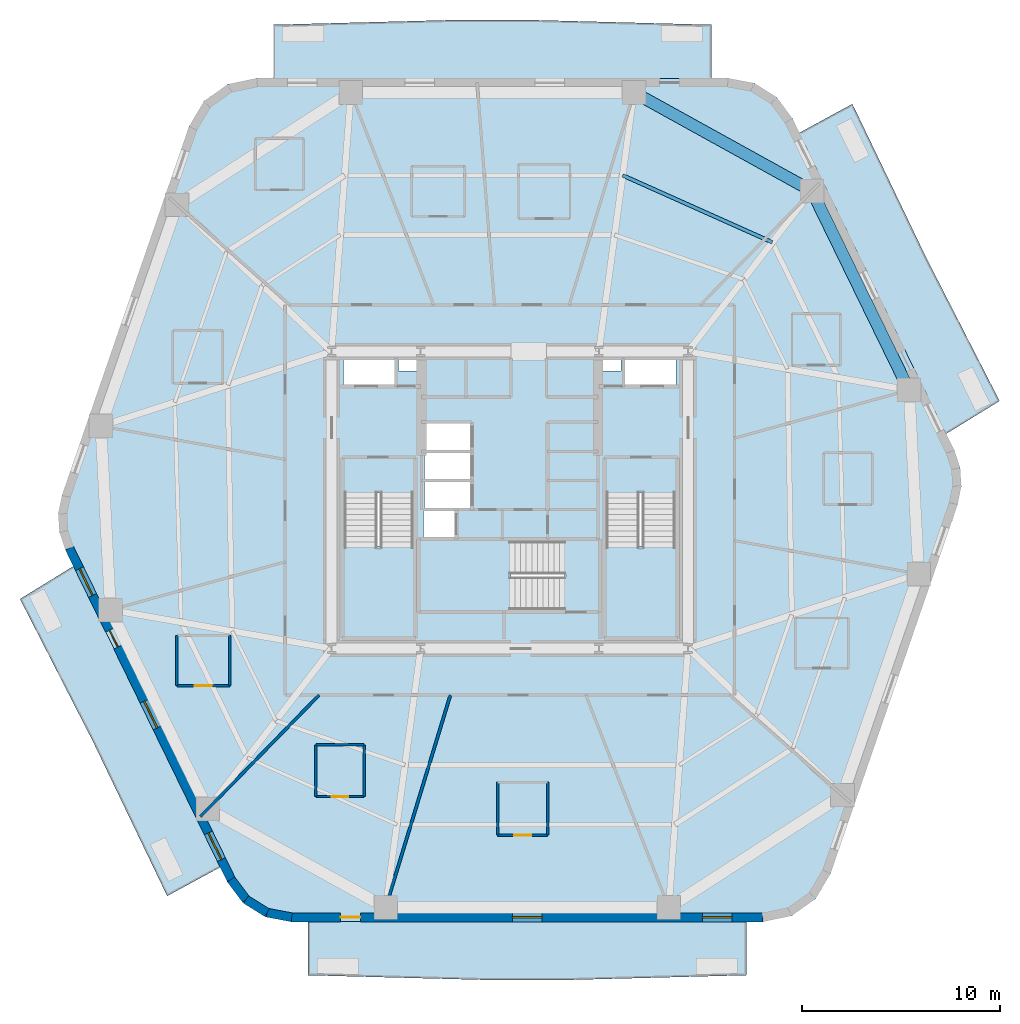
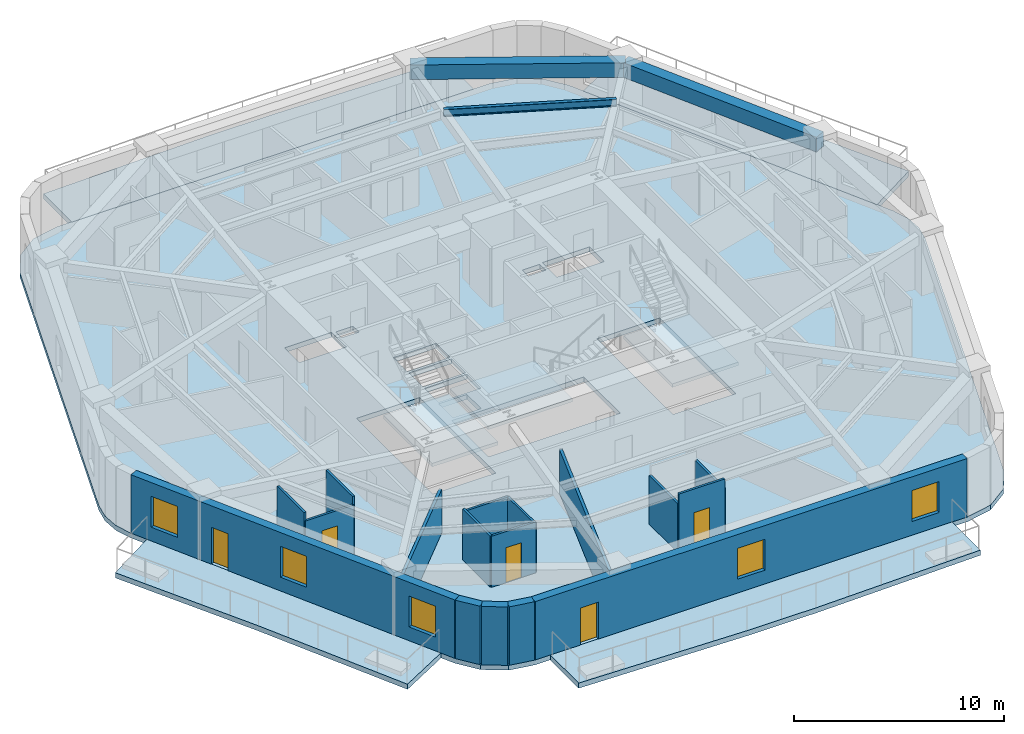
# One storey, part 2 of 9: 17 walls, 8 slabs, 5 doors, 5 windows, 3 beams, 10 openings, 3 elements without a shape of their own.
"""IFC4 building model written with IfcOpenShell, lengths in metres."""

import ifcopenshell
import ifcopenshell.guid

model = None  # the IFC model being written
_history = None  # IfcOwnerHistory: only IFC2X3 demands one
_inside = {}  # id of a spatial element -> (the spatial element, [elements in it])
_under = {}  # id of a project, library or spatial element -> (it, [spatial elements below it])
_declared = {}  # id of a project -> (the project, [libraries it declares])
_typed = {}  # id of a type object -> (the type object, [elements of that type])
_made_of = {}  # id of a material, layer set ... -> (it, [elements and type objects made of it])


def new_model(schema):
    """Start an empty IFC model of exactly this schema.

    Asked for "IFC4X3", IfcOpenShell would pick the latest addendum, in which some entities
    have other attributes; the version numbers below select the first issue.
    IFC2X3 requires an IfcOwnerHistory on every rooted entity: one is made here for all.
    """
    global model, _history
    if schema == "IFC4X3":
        model = ifcopenshell.file(schema_version=(4, 3, 0, 0))
    else:
        model = ifcopenshell.file(schema=schema)
    _inside.clear()
    _under.clear()
    _declared.clear()
    _typed.clear()
    _made_of.clear()
    _history = None
    if model.schema == "IFC2X3":
        org = make("IfcOrganization", Name="unknown")
        user = make(
            "IfcPersonAndOrganization",
            ThePerson=make("IfcPerson", FamilyName="unknown"),
            TheOrganization=org,
        )
        app = make(
            "IfcApplication",
            ApplicationDeveloper=org,
            Version="unknown",
            ApplicationFullName="unknown",
            ApplicationIdentifier="unknown",
        )
        _history = make(
            "IfcOwnerHistory",
            OwningUser=user,
            OwningApplication=app,
            ChangeAction="ADDED",
            CreationDate=0,
        )
    return model


def make(cls, **values):
    """One entity of the class cls with the attributes given. An attribute that is None is left unset."""
    return model.create_entity(
        cls, **{name: value for name, value in values.items() if value is not None}
    )


def rooted(cls, **values):
    """An entity with a GlobalId (a new one), such as an element, a storey or a relation."""
    return make(cls, GlobalId=ifcopenshell.guid.new(), OwnerHistory=_history, **values)


def si_unit(unit_type, name, prefix=None):
    """IfcSIUnit, for example si_unit("LENGTHUNIT", "METRE", prefix="MILLI")."""
    return make("IfcSIUnit", UnitType=unit_type, Prefix=prefix, Name=name)


def assignment(units):
    """IfcUnitAssignment: the units of a project."""
    return None if units is None else make("IfcUnitAssignment", Units=units)


def point(xyz):
    """IfcCartesianPoint."""
    return None if xyz is None else make("IfcCartesianPoint", Coordinates=xyz)


def direction(xyz):
    """IfcDirection."""
    return None if xyz is None else make("IfcDirection", DirectionRatios=xyz)


def frame(location, z_axis=None, x_axis=None):
    """IfcAxis2Placement3D, a coordinate frame: its origin and axes. An axis left out is left unset."""
    return make(
        "IfcAxis2Placement3D",
        Location=point(location),
        Axis=direction(z_axis),
        RefDirection=direction(x_axis),
    )


def frame_2d(location, x_axis=None):
    """IfcAxis2Placement2D, a coordinate frame in the plane: its origin and x axis."""
    return make(
        "IfcAxis2Placement2D", Location=point(location), RefDirection=direction(x_axis)
    )


def origin():
    """The frame at (0, 0, 0) with its axes left unset."""
    return frame((0.0, 0.0, 0.0))


def origin_2d():
    """The frame at (0, 0) in the plane with its x axis left unset."""
    return frame_2d((0.0, 0.0))


def place(relative_to, where):
    """IfcLocalPlacement: puts the frame where relative to a parent placement (None: the world)."""
    return make(
        "IfcLocalPlacement", PlacementRelTo=relative_to, RelativePlacement=where
    )


def context(
    kind, dimensions, precision=None, world=None, true_north=None, identifier=None
):
    """IfcGeometricRepresentationContext, for example the 3D "Model" context."""
    return make(
        "IfcGeometricRepresentationContext",
        ContextIdentifier=identifier,
        ContextType=kind,
        CoordinateSpaceDimension=dimensions,
        Precision=precision,
        WorldCoordinateSystem=world,
        TrueNorth=true_north,
    )


def subcontext(parent, identifier, kind, view, scale=None):
    """IfcGeometricRepresentationSubContext, for example "Body" below "Model"."""
    return make(
        "IfcGeometricRepresentationSubContext",
        ContextIdentifier=identifier,
        ContextType=kind,
        ParentContext=parent,
        TargetScale=scale,
        TargetView=view,
    )


def project(units=None, contexts=None):
    """IfcProject with its units and contexts."""
    return rooted(
        "IfcProject",
        Name="project",
        RepresentationContexts=contexts,
        UnitsInContext=assignment(units),
    )


def spatial(cls, under=None, at=None, **own):
    """A site, building, storey or space (cls), placed at a placement, below another one or the project."""
    s = rooted(cls, ObjectPlacement=at, **own)
    if under is not None:
        _under.setdefault(under.id(), (under, []))[1].append(s)
    return s


def polyline(points):
    """IfcPolyline through the points."""
    return make("IfcPolyline", Points=[point(p) for p in points])


def profile(cls, at=None, kind="AREA", **sizes):
    """A parametric profile (cls). Its sizes go by their IFC names, for example OverallWidth=200.0."""
    return make(cls, ProfileType=kind, Position=at, **sizes)


def rectangle(**sizes):
    """IfcRectangleProfileDef."""
    return profile("IfcRectangleProfileDef", **sizes)


def i_section(**sizes):
    """IfcIShapeProfileDef."""
    return profile("IfcIShapeProfileDef", **sizes)


def outline(outer, holes=None, kind="AREA"):
    """IfcArbitraryClosedProfileDef: a profile drawn as a closed curve; with holes, ...WithVoids."""
    if holes is None:
        return make("IfcArbitraryClosedProfileDef", ProfileType=kind, OuterCurve=outer)
    return make(
        "IfcArbitraryProfileDefWithVoids",
        ProfileType=kind,
        OuterCurve=outer,
        InnerCurves=holes,
    )


def extrude(swept, where, along, depth):
    """IfcExtrudedAreaSolid: the profile swept, set in the frame where, extruded along a direction by depth."""
    return make(
        "IfcExtrudedAreaSolid",
        SweptArea=swept,
        Position=where,
        ExtrudedDirection=direction(along),
        Depth=depth,
    )


def shape(context_of_items, identifier, shape_type, items):
    """IfcShapeRepresentation: the items that make up one representation, for example the "Body"."""
    return make(
        "IfcShapeRepresentation",
        ContextOfItems=context_of_items,
        RepresentationIdentifier=identifier,
        RepresentationType=shape_type,
        Items=items,
    )


def material(Name=None, Category=None):
    """IfcMaterial."""
    return make("IfcMaterial", Name=Name, Category=Category)


def layer(
    of_material, thickness, ventilated=None, Name=None, Category=None, Priority=None
):
    """IfcMaterialLayer: one layer of a wall or slab, of a material (None: an air gap)."""
    return make(
        "IfcMaterialLayer",
        Material=of_material,
        LayerThickness=thickness,
        IsVentilated=ventilated,
        Name=Name,
        Category=Category,
        Priority=Priority,
    )


def layer_set(layers, Name=None):
    """IfcMaterialLayerSet."""
    return make("IfcMaterialLayerSet", MaterialLayers=layers, LayerSetName=Name)


def material_profile(
    of_material, cross_section, Name=None, Category=None, Priority=None
):
    """IfcMaterialProfile: a cross section and its material."""
    return make(
        "IfcMaterialProfile",
        Name=Name,
        Material=of_material,
        Profile=cross_section,
        Priority=Priority,
        Category=Category,
    )


def profile_set(profiles, Name=None, composite=None):
    """IfcMaterialProfileSet."""
    return make(
        "IfcMaterialProfileSet",
        Name=Name,
        MaterialProfiles=profiles,
        CompositeProfile=composite,
    )


def made_of(thing, what):
    """Note that an element or type object is made of a material, layer set ...; save() writes the relation."""
    if what is not None:
        _made_of.setdefault(what.id(), (what, []))[1].append(thing)
    return thing


def type_object(cls, material=None, **own):
    """A type object (cls), such as IfcWallType, which elements share."""
    return made_of(rooted(cls, **own), material)


def element(
    cls,
    number,
    at=None,
    inside=None,
    cuts=None,
    type_object=None,
    material=None,
    context=None,
    identifier="Body",
    shape_type=None,
    held_by="IfcProductDefinitionShape",
    body=None,
    shapes=None,
    **own,
):
    """One element of the class cls, such as IfcWall. Its Tag is "e" and its number.

    at: its placement. inside: the storey or other place that contains it. cuts: it is an
    opening in that element (IfcRelVoidsElement). A single representation is given by context,
    identifier, shape_type and body (its items); several are given by shapes. held_by: the class
    of the entity that holds the representations. save() writes the other relations.
    """
    e = rooted(cls, Tag="e%d" % number, ObjectPlacement=at, **own)
    if body is not None:
        shapes = [shape(context, identifier, shape_type, body)]
    if shapes is not None:
        e.Representation = make(held_by, Representations=shapes)
    if inside is not None:
        _inside.setdefault(inside.id(), (inside, []))[1].append(e)
    if cuts is not None:
        rooted(
            "IfcRelVoidsElement", RelatingBuildingElement=cuts, RelatedOpeningElement=e
        )
    if type_object is not None:
        _typed.setdefault(type_object.id(), (type_object, []))[1].append(e)
    return made_of(e, material)


def fill(opening, filler):
    """IfcRelFillsElement: the door or window that sits in an opening."""
    return rooted(
        "IfcRelFillsElement",
        RelatingOpeningElement=opening,
        RelatedBuildingElement=filler,
    )


def aggregate(whole, parts):
    """IfcRelAggregates: a whole, such as a stair, and the parts it consists of."""
    return rooted("IfcRelAggregates", RelatingObject=whole, RelatedObjects=parts)


def save(model, path):
    """Write the relations noted so far, then the file.

    IfcRelAggregates (storeys below a building ...), IfcRelContainedInSpatialStructure (elements
    in a storey), IfcRelDefinesByType, IfcRelAssociatesMaterial and IfcRelDeclares: one each for
    every whole, place, type object, material and project.
    """
    for whole, parts in _under.values():
        aggregate(whole, parts)
    for where, things in _inside.values():
        rooted(
            "IfcRelContainedInSpatialStructure",
            RelatedElements=things,
            RelatingStructure=where,
        )
    for kind, things in _typed.values():
        rooted("IfcRelDefinesByType", RelatedObjects=things, RelatingType=kind)
    for what, things in _made_of.values():
        rooted("IfcRelAssociatesMaterial", RelatedObjects=things, RelatingMaterial=what)
    for by, libraries in _declared.values():
        rooted("IfcRelDeclares", RelatingContext=by, RelatedDefinitions=libraries)
    model.write(path)


model = new_model("IFC4")

# Units and contexts
model_context = context("Model", 3, precision=1e-05, world=origin(), true_north=direction((0.0, 1.0)))
body_context = subcontext(model_context, "Body", "Model", "MODEL_VIEW")
ifc_project = project(units=[si_unit("LENGTHUNIT", "METRE"), si_unit("AREAUNIT", "SQUARE_METRE"), si_unit("VOLUMEUNIT", "CUBIC_METRE"), si_unit("PLANEANGLEUNIT", "RADIAN"), si_unit("MASSUNIT", "GRAM", prefix="KILO")], contexts=[model_context])

# Site, building, storey
site_placement = place(None, origin())
site = spatial("IfcSite", under=ifc_project, at=site_placement, CompositionType="ELEMENT")
building_placement = place(site_placement, origin())
building = spatial("IfcBuilding", under=site, at=building_placement, Name="Kilnhurst Terrace Hotel", CompositionType="ELEMENT")
storey_placement = place(building_placement, frame((0.0, 0.0, 128.39990234375)))
storey = spatial("IfcBuildingStorey", under=building, at=storey_placement, Name="L31", CompositionType="ELEMENT", Elevation=128.39990234375)

# Beams
ifc_material_1 = material(Name="Concrete C50/60", Category="concrete")
ifc_material_profile_1 = material_profile(ifc_material_1, rectangle(XDim=0.60009765625, YDim=0.85009765625, at=origin_2d()), Name="RC600X850")
ifc_profile_set_1 = profile_set([ifc_material_profile_1], Name="Concrete C50/60")
beam_type_1 = type_object("IfcBeamType", Name="BM-SPN-600X850", PredefinedType="SPANDREL", material=ifc_profile_set_1)
beam_1_placement = place(storey_placement, frame((20.1640625, 5.549072265625, 2.97509765625), z_axis=(-0.438406012271, 0.89877704043, 0.0), x_axis=(-0.89877704043, -0.438406012271, 0.0)))
element("IfcBeam", 1, at=beam_1_placement, inside=storey, type_object=beam_type_1, Name="L31 Perimeter Spandrel Beam 5", PredefinedType="SPANDREL", context=body_context, shape_type="SweptSolid", body=[
    extrude(rectangle(XDim=0.60009765625, YDim=0.85009765625, at=origin_2d()), origin(), (0.0, 0.0, 1.0), 11.19287109375),
])
beam_2_placement = place(storey_placement, frame((15.257080078125, 15.60888671875, 2.97509765625), z_axis=(-0.875094010429, 0.483952965598, 0.0), x_axis=(-0.483952965598, -0.875094010429, 0.0)))
element("IfcBeam", 2, at=beam_2_placement, inside=storey, type_object=beam_type_1, Name="L31 Perimeter Spandrel Beam 6", PredefinedType="SPANDREL", context=body_context, shape_type="SweptSolid", body=[
    extrude(rectangle(XDim=0.60009765625, YDim=0.85009765625, at=origin_2d()), origin(), (0.0, 0.0, 1.0), 10.27197265625),
])
ifc_material_2 = material(Name="Steel ASTM A992 Grade 50", Category="steel")
ifc_material_profile_2 = material_profile(ifc_material_2, i_section(OverallWidth=0.180908203125, OverallDepth=0.417236328125, WebThickness=0.010986328125, FlangeThickness=0.018310546875, at=origin_2d()), Name="W16X57")
ifc_profile_set_2 = profile_set([ifc_material_profile_2], Name="Steel ASTM A992 Grade 50")
beam_type_2 = type_object("IfcBeamType", Name="JST-STL-W16X57", PredefinedType="JOIST", material=ifc_profile_set_2)
beam_3_placement = place(storey_placement, frame((13.2548828125, 13.01416015625, 3.191162109375), z_axis=(-0.912760935806, 0.408494154262, 0.0), x_axis=(-0.408494154262, -0.912760935806, 0.0)))
element("IfcBeam", 3, at=beam_3_placement, inside=storey, type_object=beam_type_2, Name="L31 Secondary Floor Steel Joist OUT.6", PredefinedType="JOIST", context=body_context, shape_type="SweptSolid", body=[
    extrude(i_section(OverallWidth=0.180908203125, OverallDepth=0.417236328125, WebThickness=0.010986328125, FlangeThickness=0.018310546875, at=origin_2d()), origin(), (0.0, 0.0, 1.0), 8.274658203125),
])

# Slabs
ifc_layer_1 = layer(ifc_material_1, 0.300048828125, Name="Concrete C50/60")
ifc_layer_set_1 = layer_set([ifc_layer_1], Name="Concrete C50/60")
slab_type_1 = type_object("IfcSlabType", Name="SLB-BAL-300", PredefinedType="FLOOR", material=ifc_layer_set_1)
slab_1_placement = place(storey_placement, frame((0.0, 0.0, -0.2998046875)))
element("IfcSlab", 4, at=slab_1_placement, inside=storey, type_object=slab_type_1, Name="L31 Cantilevered Planted Terrace Slab BAL-L1A", PredefinedType="FLOOR", context=body_context, shape_type="SweptSolid", body=[
    extrude(outline(polyline([(21.044921875, 12.205810546875), (24.734130859375, 5.0), (22.023193359375, 3.333740234375), (14.6083984375, 18.53564453125), (17.301513671875, 20.0), (21.044921875, 12.205810546875)])), origin(), (0.0, 0.0, 1.0), 0.2998046875),
])
slab_2_placement = place(storey_placement, frame((0.0, 0.0, -0.2998046875)))
element("IfcSlab", 5, at=slab_2_placement, inside=storey, type_object=slab_type_1, Name="L31 Cantilevered Planted Terrace Slab BAL-L1B", PredefinedType="FLOOR", context=body_context, shape_type="SweptSolid", body=[
    extrude(outline(polyline([(1.027099609375, 24.239990234375), (10.18310546875, 24.0), (10.18310546875, 21.280029296875), (-11.943603515625, 21.280029296875), (-11.943603515625, 24.0), (-2.787841796875, 24.239990234375), (1.027099609375, 24.239990234375)])), origin(), (0.0, 0.0, 1.0), 0.2998046875),
])
slab_3_placement = place(storey_placement, frame((0.0, 0.0, -0.2998046875)))
element("IfcSlab", 6, at=slab_3_placement, inside=storey, type_object=slab_type_1, Name="L31 Cantilevered Planted Terrace Slab BAL-L2A", PredefinedType="FLOOR", context=body_context, shape_type="SweptSolid", body=[
    extrude(outline(polyline([(-24.734130859375, -5.0), (-22.023193359375, -3.333740234375), (-14.6083984375, -18.53564453125), (-17.301513671875, -20.0), (-21.044921875, -12.205810546875), (-24.734130859375, -5.0)])), origin(), (0.0, 0.0, 1.0), 0.2998046875),
])
slab_4_placement = place(storey_placement, frame((0.0, 0.0, -0.2998046875)))
element("IfcSlab", 7, at=slab_4_placement, inside=storey, type_object=slab_type_1, Name="L31 Cantilevered Planted Terrace Slab BAL-L2B", PredefinedType="FLOOR", context=body_context, shape_type="SweptSolid", body=[
    extrude(outline(polyline([(-1.027099609375, -24.239990234375), (-10.18310546875, -24.0), (-10.18310546875, -21.280029296875), (11.943603515625, -21.280029296875), (11.943603515625, -24.0), (2.787841796875, -24.239990234375), (-1.027099609375, -24.239990234375)])), origin(), (0.0, 0.0, 1.0), 0.2998046875),
])
ifc_layer_2 = layer(ifc_material_1, 0.280029296875, Name="Concrete C50/60")
ifc_layer_set_2 = layer_set([ifc_layer_2], Name="Concrete C50/60")
slab_type_2 = type_object("IfcSlabType", Name="SLB-FLR-280", PredefinedType="FLOOR", material=ifc_layer_set_2)
slab_5_placement = place(storey_placement, frame((0.0, 0.0, -0.27978515625)))
element("IfcSlab", 8, at=slab_5_placement, inside=storey, type_object=slab_type_2, Name="L31 Structural Floor Slab", PredefinedType="FLOOR", context=body_context, shape_type="SweptSolid", body=[
    extrude(outline(polyline([(-14.2685546875, -19.2783203125), (-13.472900390625, -20.34716796875), (-12.342529296875, -21.05322265625), (-11.032958984375, -21.300048828125), (12.793701171875, -21.300048828125), (14.23876953125, -20.997314453125), (15.44091796875, -20.139892578125), (16.197509765625, -18.872314453125), (22.614501953125, -0.238525390625), (22.8017578125, 0.6826171875), (22.744384765625, 1.62060546875), (22.4462890625, 2.51171875), (14.2685546875, 19.2783203125), (13.472900390625, 20.34716796875), (12.342529296875, 21.05322265625), (11.032958984375, 21.300048828125), (-12.793701171875, 21.300048828125), (-14.23876953125, 20.997314453125), (-15.44091796875, 20.139892578125), (-16.197509765625, 18.872314453125), (-22.614501953125, 0.238525390625), (-22.8017578125, -0.6826171875), (-22.744384765625, -1.62060546875), (-22.4462890625, -2.51171875), (-14.2685546875, -19.2783203125)]), holes=[polyline([(-8.35009765625, 0.35498046875), (-4.8798828125, 0.35498046875), (-4.8798828125, -6.89990234375), (-8.35009765625, -6.89990234375), (-8.35009765625, 0.35498046875)]), polyline([(-2.800048828125, -1.89990234375), (-4.35009765625, -1.89990234375), (-4.35009765625, -0.550048828125), (-2.800048828125, -0.550048828125), (-2.800048828125, -1.89990234375)]), polyline([(-1.949951171875, -0.429931640625), (-4.300048828125, -0.429931640625), (-4.300048828125, 0.89990234375), (-1.949951171875, 0.89990234375), (-1.949951171875, -0.429931640625)]), polyline([(-4.300048828125, 1.050048828125), (-4.300048828125, 2.3798828125), (-1.949951171875, 2.3798828125), (-1.949951171875, 1.050048828125), (-4.300048828125, 1.050048828125)]), polyline([(-8.39990234375, 5.75), (-8.39990234375, 7.14990234375), (-5.800048828125, 7.14990234375), (-5.800048828125, 5.75), (-8.39990234375, 5.75)]), polyline([(-4.659912109375, 6.52001953125), (-5.6201171875, 6.52001953125), (-5.6201171875, 7.080078125), (-4.659912109375, 7.080078125), (-4.659912109375, 6.52001953125)]), polyline([(2.7548828125, -5.550048828125), (-4.5, -5.550048828125), (-4.5, -2.080078125), (2.7548828125, -2.080078125), (2.7548828125, -5.550048828125)]), polyline([(8.35009765625, 0.35498046875), (8.35009765625, -6.89990234375), (4.8798828125, -6.89990234375), (4.8798828125, 0.35498046875), (8.35009765625, 0.35498046875)]), polyline([(-1.949951171875, 2.530029296875), (-4.300048828125, 2.530029296875), (-4.300048828125, 3.860107421875), (-1.949951171875, 3.860107421875), (-1.949951171875, 2.530029296875)]), polyline([(5.800048828125, 5.75), (5.800048828125, 7.14990234375), (8.39990234375, 7.14990234375), (8.39990234375, 5.75), (5.800048828125, 5.75)]), polyline([(4.659912109375, 6.52001953125), (4.659912109375, 7.080078125), (5.6201171875, 7.080078125), (5.6201171875, 6.52001953125), (4.659912109375, 6.52001953125)])]), origin(), (0.0, 0.0, 1.0), 0.27978515625),
])

# Stair, slab
stair_type = type_object("IfcStairType", Name="STR-CORE-1660", PredefinedType="HALF_TURN_STAIR", material=ifc_material_1)
stair_1_placement = place(storey_placement, origin())
stair_1 = element("IfcStair", 9, at=stair_1_placement, inside=storey, type_object=stair_type, Name="L31 ST-1", PredefinedType="HALF_TURN_STAIR")
ifc_layer_3 = layer(ifc_material_1, 0.199951171875, Name="Concrete C50/60")
ifc_layer_set_3 = layer_set([ifc_layer_3], Name="Concrete C50/60")
slab_type_3 = type_object("IfcSlabType", Name="SLB-ST-LND-200", PredefinedType="LANDING", material=ifc_layer_set_3)
slab_6_placement = place(storey_placement, frame((0.0, 0.0, 1.650146484375)))
slab_6 = element("IfcSlab", 10, at=slab_6_placement, type_object=slab_type_3, Name="ST-1 landing 1", PredefinedType="LANDING", context=body_context, shape_type="SweptSolid", body=[
    extrude(outline(polyline([(-8.429931640625, -2.330078125), (-4.800048828125, -2.330078125), (-4.800048828125, -6.97998046875), (-8.429931640625, -6.97998046875), (-8.429931640625, -2.330078125)])), origin(), (0.0, 0.0, 1.0), 0.199951171875),
])
aggregate(stair_1, [slab_6])

stair_2_placement = place(storey_placement, origin())
stair_2 = element("IfcStair", 11, at=stair_2_placement, inside=storey, type_object=stair_type, Name="L31 ST-2", PredefinedType="HALF_TURN_STAIR")
slab_7_placement = place(storey_placement, frame((0.0, 0.0, 1.650146484375)))
slab_7 = element("IfcSlab", 12, at=slab_7_placement, type_object=slab_type_3, Name="ST-2 landing 1", PredefinedType="LANDING", context=body_context, shape_type="SweptSolid", body=[
    extrude(outline(polyline([(4.800048828125, -2.330078125), (8.429931640625, -2.330078125), (8.429931640625, -6.97998046875), (4.800048828125, -6.97998046875), (4.800048828125, -2.330078125)])), origin(), (0.0, 0.0, 1.0), 0.199951171875),
])
aggregate(stair_2, [slab_7])

stair_3_placement = place(storey_placement, origin())
stair_3 = element("IfcStair", 13, at=stair_3_placement, inside=storey, type_object=stair_type, Name="L31 ST-3", PredefinedType="HALF_TURN_STAIR")
slab_8_placement = place(storey_placement, frame((0.0, 0.0, 1.650146484375)))
slab_8 = element("IfcSlab", 14, at=slab_8_placement, type_object=slab_type_3, Name="ST-3 landing 1", PredefinedType="LANDING", context=body_context, shape_type="SweptSolid", body=[
    extrude(outline(polyline([(0.070068359375, -2.0), (0.070068359375, -5.6298828125), (-4.580078125, -5.6298828125), (-4.580078125, -2.0), (0.070068359375, -2.0)])), origin(), (0.0, 0.0, 1.0), 0.199951171875),
])
aggregate(stair_3, [slab_8])

# Walls
ifc_material_3 = material(Name="Precast concrete C40/50", Category="concrete")
ifc_layer_4 = layer(ifc_material_3, 0.449951171875, Name="Precast concrete C40/50")
ifc_layer_set_4 = layer_set([ifc_layer_4], Name="Precast concrete C40/50")
wall_type_1 = type_object("IfcWallType", Name="WL-BRK-450", PredefinedType="SOLIDWALL", material=ifc_layer_set_4)
wall_1_placement = place(storey_placement, frame((-14.07568359375, -19.16064453125, 0.0), z_axis=(0.0, 0.0, 1.0), x_axis=(0.597226657159, -0.802072515412, 0.0)))
element("IfcWall", 15, at=wall_1_placement, inside=storey, type_object=wall_type_1, Name="L31 Rounded Corner Brick Wall C1.1", PredefinedType="SOLIDWALL", context=body_context, shape_type="SweptSolid", body=[
    extrude(rectangle(XDim=1.269287109375, YDim=0.449951171875, at=frame_2d((0.634765625, 0.0))), origin(), (0.0, 0.0, 1.0), 3.400146484375),
])
wall_2_placement = place(storey_placement, frame((-13.317626953125, -20.1787109375, 0.0), z_axis=(0.0, 0.0, 1.0), x_axis=(0.848031272749, -0.529946186362, 0.0)))
element("IfcWall", 16, at=wall_2_placement, inside=storey, type_object=wall_type_1, Name="L31 Rounded Corner Brick Wall C1.2", PredefinedType="SOLIDWALL", context=body_context, shape_type="SweptSolid", body=[
    extrude(rectangle(XDim=1.248046875, YDim=0.449951171875, at=frame_2d((0.6240234375, 0.0))), origin(), (0.0, 0.0, 1.0), 3.400146484375),
])
wall_3_placement = place(storey_placement, frame((-12.25927734375, -20.840087890625, 0.0), z_axis=(0.0, 0.0, 1.0), x_axis=(0.982730354425, -0.185043374624, 0.0)))
element("IfcWall", 17, at=wall_3_placement, inside=storey, type_object=wall_type_1, Name="L31 Rounded Corner Brick Wall C1.3", PredefinedType="SOLIDWALL", context=body_context, shape_type="SweptSolid", body=[
    extrude(rectangle(XDim=1.269287109375, YDim=0.449951171875, at=frame_2d((0.634765625, 0.0))), origin(), (0.0, 0.0, 1.0), 3.400146484375),
])

# Wall, openings, door, windows
wall_4_placement = place(storey_placement, frame((-11.011962890625, -21.074951171875, 0.0), z_axis=(0.0, 0.0, 1.0), x_axis=(1.0, 0.0, 0.0)))
wall_4 = element("IfcWall", 18, at=wall_4_placement, inside=storey, type_object=wall_type_1, Name="L31 Exterior Brick Facade Wall F1", PredefinedType="SOLIDWALL", context=body_context, shape_type="SweptSolid", body=[
    extrude(rectangle(XDim=23.782470703125, YDim=0.449951171875, at=frame_2d((11.89111328125, 0.0))), origin(), (0.0, 0.0, 1.0), 3.400146484375),
])
opening_1_placement = place(wall_4_placement, frame((2.472900390625, 0.0, 0.0)))
opening_1 = element("IfcOpeningElement", 19, at=opening_1_placement, cuts=wall_4, Name="Opening BD-1000", PredefinedType="OPENING", context=body_context, shape_type="SweptSolid", body=[
    extrude(rectangle(XDim=1.0, YDim=2.14990234375, at=frame_2d((0.5, 1.074951171875))), frame((0.0, 0.23486328125, 0.0), z_axis=(0.0, -1.0, 0.0), x_axis=(1.0, 0.0, 0.0)), (0.0, 0.0, 1.0), 0.469970703125),
])
opening_2_placement = place(wall_4_placement, frame((11.14208984375, 0.0, 0.800048828125)))
opening_2 = element("IfcOpeningElement", 20, at=opening_2_placement, cuts=wall_4, Name="Opening W-02", PredefinedType="OPENING", context=body_context, shape_type="SweptSolid", body=[
    extrude(rectangle(XDim=1.5, YDim=1.800048828125, at=frame_2d((0.75, 0.89990234375))), frame((0.0, 0.23486328125, 0.0), z_axis=(0.0, -1.0, 0.0), x_axis=(1.0, 0.0, 0.0)), (0.0, 0.0, 1.0), 0.469970703125),
])
opening_3_placement = place(wall_4_placement, frame((20.740966796875, 0.0, 0.800048828125)))
opening_3 = element("IfcOpeningElement", 21, at=opening_3_placement, cuts=wall_4, Name="Opening W-02", PredefinedType="OPENING", context=body_context, shape_type="SweptSolid", body=[
    extrude(rectangle(XDim=1.5, YDim=1.800048828125, at=frame_2d((0.75, 0.89990234375))), frame((0.0, 0.23486328125, 0.0), z_axis=(0.0, -1.0, 0.0), x_axis=(1.0, 0.0, 0.0)), (0.0, 0.0, 1.0), 0.469970703125),
])
ifc_material_4 = material(Name="Thermally Broken Bronze Aluminium Alloy 6063-T6 and Laminated Glass", Category="aluminium")
door_type_1 = type_object("IfcDoorType", Name="DR-EXT-BAL-1000", OperationType="NOTDEFINED", PredefinedType="DOOR", material=ifc_material_4)
door_1_placement = place(opening_1_placement, origin())
door_1 = element("IfcDoor", 22, at=door_1_placement, inside=storey, type_object=door_type_1, Name="L31 Planted Balcony Door BAL-L2B", OperationType="SINGLE_SWING_LEFT", OverallHeight=2.14990234375, OverallWidth=1.0, PredefinedType="DOOR", context=body_context, shape_type="SweptSolid", body=[
    extrude(rectangle(XDim=1.0, YDim=2.14990234375, at=frame_2d((0.5, 1.074951171875))), frame((0.0, 0.02490234375, 0.0), z_axis=(0.0, -1.0, 0.0), x_axis=(1.0, 0.0, 0.0)), (0.0, 0.0, 1.0), 0.050048828125),
])
fill(opening_1, door_1)
ifc_material_5 = material(Name="Thermally Broken Bronze Aluminium Alloy 6063-T6 and Low-E Glass", Category="aluminium")
window_type = type_object("IfcWindowType", Name="WIN-1500X1800", PartitioningType="SINGLE_PANEL", PredefinedType="WINDOW", material=ifc_material_5)
window_1_placement = place(opening_2_placement, origin())
window_1 = element("IfcWindow", 23, at=window_1_placement, inside=storey, type_object=window_type, Name="L31 Deep-Set Masonry Window F1.1", OverallHeight=1.800048828125, OverallWidth=1.5, PartitioningType="SINGLE_PANEL", PredefinedType="WINDOW", context=body_context, shape_type="SweptSolid", body=[
    extrude(rectangle(XDim=1.5, YDim=1.800048828125, at=frame_2d((0.75, 0.89990234375))), frame((0.0, 0.030029296875, 0.0), z_axis=(0.0, -1.0, 0.0), x_axis=(1.0, 0.0, 0.0)), (0.0, 0.0, 1.0), 0.06005859375),
])
fill(opening_2, window_1)
window_2_placement = place(opening_3_placement, origin())
window_2 = element("IfcWindow", 24, at=window_2_placement, inside=storey, type_object=window_type, Name="L31 Deep-Set Masonry Window F1.2", OverallHeight=1.800048828125, OverallWidth=1.5, PartitioningType="SINGLE_PANEL", PredefinedType="WINDOW", context=body_context, shape_type="SweptSolid", body=[
    extrude(rectangle(XDim=1.5, YDim=1.800048828125, at=frame_2d((0.75, 0.89990234375))), frame((0.0, 0.030029296875, 0.0), z_axis=(0.0, -1.0, 0.0), x_axis=(1.0, 0.0, 0.0)), (0.0, 0.0, 1.0), 0.06005859375),
])
fill(opening_3, window_2)

wall_5_placement = place(storey_placement, frame((-22.237548828125, -2.426513671875, 0.0), z_axis=(0.0, 0.0, 1.0), x_axis=(0.438374803278, -0.898792262901, 0.0)))
wall_5 = element("IfcWall", 25, at=wall_5_placement, inside=storey, type_object=wall_type_1, Name="L31 Exterior Brick Facade Wall F6", PredefinedType="SOLIDWALL", context=body_context, shape_type="SweptSolid", body=[
    extrude(rectangle(XDim=18.618408203125, YDim=0.449951171875, at=frame_2d((9.30908203125, 0.0))), origin(), (0.0, 0.0, 1.0), 3.400146484375),
])
opening_4_placement = place(wall_5_placement, frame((4.6201171875, 0.0, 0.0)))
opening_4 = element("IfcOpeningElement", 26, at=opening_4_placement, cuts=wall_5, Name="Opening BD-950", PredefinedType="OPENING", context=body_context, shape_type="SweptSolid", body=[
    extrude(rectangle(XDim=0.949951171875, YDim=2.14990234375, at=frame_2d((0.47509765625, 1.074951171875))), frame((0.0, 0.23486328125, 0.0), z_axis=(0.0, -1.0, 0.0), x_axis=(1.0, 0.0, 0.0)), (0.0, 0.0, 1.0), 0.469970703125),
])
opening_5_placement = place(wall_5_placement, frame((1.1630859375, 0.0, 0.800048828125)))
opening_5 = element("IfcOpeningElement", 27, at=opening_5_placement, cuts=wall_5, Name="Opening W-02", PredefinedType="OPENING", context=body_context, shape_type="SweptSolid", body=[
    extrude(rectangle(XDim=1.5, YDim=1.800048828125, at=frame_2d((0.75, 0.89990234375))), frame((0.0, 0.23486328125, 0.0), z_axis=(0.0, -1.0, 0.0), x_axis=(1.0, 0.0, 0.0)), (0.0, 0.0, 1.0), 0.469970703125),
])
opening_6_placement = place(wall_5_placement, frame((8.610107421875, 0.0, 0.800048828125)))
opening_6 = element("IfcOpeningElement", 28, at=opening_6_placement, cuts=wall_5, Name="Opening W-02", PredefinedType="OPENING", context=body_context, shape_type="SweptSolid", body=[
    extrude(rectangle(XDim=1.5, YDim=1.800048828125, at=frame_2d((0.75, 0.89990234375))), frame((0.0, 0.23486328125, 0.0), z_axis=(0.0, -1.0, 0.0), x_axis=(1.0, 0.0, 0.0)), (0.0, 0.0, 1.0), 0.469970703125),
])
opening_7_placement = place(wall_5_placement, frame((16.006103515625, 0.0, 0.800048828125)))
opening_7 = element("IfcOpeningElement", 29, at=opening_7_placement, cuts=wall_5, Name="Opening W-02", PredefinedType="OPENING", context=body_context, shape_type="SweptSolid", body=[
    extrude(rectangle(XDim=1.5, YDim=1.800048828125, at=frame_2d((0.75, 0.89990234375))), frame((0.0, 0.23486328125, 0.0), z_axis=(0.0, -1.0, 0.0), x_axis=(1.0, 0.0, 0.0)), (0.0, 0.0, 1.0), 0.469970703125),
])
door_type_2 = type_object("IfcDoorType", Name="DR-EXT-BAL-950", OperationType="NOTDEFINED", PredefinedType="DOOR", material=ifc_material_4)
door_2_placement = place(opening_4_placement, origin())
door_2 = element("IfcDoor", 30, at=door_2_placement, inside=storey, type_object=door_type_2, Name="L31 Planted Balcony Door BAL-L2A", OperationType="SINGLE_SWING_RIGHT", OverallHeight=2.14990234375, OverallWidth=0.949951171875, PredefinedType="DOOR", context=body_context, shape_type="SweptSolid", body=[
    extrude(rectangle(XDim=0.949951171875, YDim=2.14990234375, at=frame_2d((0.47509765625, 1.074951171875))), frame((0.0, 0.02490234375, 0.0), z_axis=(0.0, -1.0, 0.0), x_axis=(1.0, 0.0, 0.0)), (0.0, 0.0, 1.0), 0.050048828125),
])
fill(opening_4, door_2)
window_3_placement = place(opening_5_placement, origin())
window_3 = element("IfcWindow", 31, at=window_3_placement, inside=storey, type_object=window_type, Name="L31 Deep-Set Masonry Window F6.1", OverallHeight=1.800048828125, OverallWidth=1.5, PartitioningType="SINGLE_PANEL", PredefinedType="WINDOW", context=body_context, shape_type="SweptSolid", body=[
    extrude(rectangle(XDim=1.5, YDim=1.800048828125, at=frame_2d((0.75, 0.89990234375))), frame((0.0, 0.030029296875, 0.0), z_axis=(0.0, -1.0, 0.0), x_axis=(1.0, 0.0, 0.0)), (0.0, 0.0, 1.0), 0.06005859375),
])
fill(opening_5, window_3)
window_4_placement = place(opening_6_placement, origin())
window_4 = element("IfcWindow", 32, at=window_4_placement, inside=storey, type_object=window_type, Name="L31 Deep-Set Masonry Window F6.2", OverallHeight=1.800048828125, OverallWidth=1.5, PartitioningType="SINGLE_PANEL", PredefinedType="WINDOW", context=body_context, shape_type="SweptSolid", body=[
    extrude(rectangle(XDim=1.5, YDim=1.800048828125, at=frame_2d((0.75, 0.89990234375))), frame((0.0, 0.030029296875, 0.0), z_axis=(0.0, -1.0, 0.0), x_axis=(1.0, 0.0, 0.0)), (0.0, 0.0, 1.0), 0.06005859375),
])
fill(opening_6, window_4)
window_5_placement = place(opening_7_placement, origin())
window_5 = element("IfcWindow", 33, at=window_5_placement, inside=storey, type_object=window_type, Name="L31 Deep-Set Masonry Window F6.3", OverallHeight=1.800048828125, OverallWidth=1.5, PartitioningType="SINGLE_PANEL", PredefinedType="WINDOW", context=body_context, shape_type="SweptSolid", body=[
    extrude(rectangle(XDim=1.5, YDim=1.800048828125, at=frame_2d((0.75, 0.89990234375))), frame((0.0, 0.030029296875, 0.0), z_axis=(0.0, -1.0, 0.0), x_axis=(1.0, 0.0, 0.0)), (0.0, 0.0, 1.0), 0.06005859375),
])
fill(opening_7, window_5)

# Walls
ifc_material_6 = material(Name="STC-58 Acoustic Twin-Frame Guestroom Demising Partition")
ifc_layer_5 = layer(ifc_material_6, 0.14990234375, Name="STC-58 Acoustic Twin-Frame Guestroom Demising Partition")
ifc_layer_set_5 = layer_set([ifc_layer_5], Name="STC-58 Acoustic Twin-Frame Guestroom Demising Partition")
wall_type_2 = type_object("IfcWallType", Name="WL-DEM-150", PredefinedType="PARTITIONING", material=ifc_layer_set_5)
wall_6_placement = place(storey_placement, frame((-9.6279296875, -9.85009765625, 0.0), z_axis=(0.0, 0.0, 1.0), x_axis=(-0.698992824326, -0.715128681805, 0.0)))
element("IfcWall", 34, at=wall_6_placement, inside=storey, type_object=wall_type_2, Name="L31 Interior Wall WL-L31-DEM-COL08-09-1", PredefinedType="PARTITIONING", context=body_context, shape_type="SweptSolid", body=[
    extrude(rectangle(XDim=8.578857421875, YDim=0.14990234375, at=frame_2d((4.28955078125, 0.0))), origin(), (0.0, 0.0, 1.0), 2.5400390625),
])
wall_7_placement = place(storey_placement, frame((-3.0, -9.85009765625, 0.0), z_axis=(0.0, 0.0, 1.0), x_axis=(-0.291352035382, -0.95661590593, 0.0)))
element("IfcWall", 35, at=wall_7_placement, inside=storey, type_object=wall_type_2, Name="L31 Interior Wall WL-L31-DEM-COL09-10-1", PredefinedType="PARTITIONING", context=body_context, shape_type="SweptSolid", body=[
    extrude(rectangle(XDim=11.73388671875, YDim=0.14990234375, at=frame_2d((5.866943359375, 0.0))), origin(), (0.0, 0.0, 1.0), 2.5400390625),
])

# Wall, opening, door
ifc_material_7 = material(Name="120 mm Moisture-Resistant Tile-Backed Bathroom Partition")
ifc_layer_6 = layer(ifc_material_7, 0.1201171875, Name="120 mm Moisture-Resistant Tile-Backed Bathroom Partition")
ifc_layer_set_6 = layer_set([ifc_layer_6], Name="120 mm Moisture-Resistant Tile-Backed Bathroom Partition")
wall_type_3 = type_object("IfcWallType", Name="WL-PART-120", PredefinedType="PARTITIONING", material=ifc_layer_set_6)
wall_8_placement = place(storey_placement, frame((-16.81494140625, -9.375, 0.0), z_axis=(0.0, 0.0, 1.0), x_axis=(1.0, 0.0, 0.0)))
wall_8 = element("IfcWall", 36, at=wall_8_placement, inside=storey, type_object=wall_type_3, Name="L31 Interior Wall WL-L31-BTH-08-1", PredefinedType="PARTITIONING", context=body_context, shape_type="SweptSolid", body=[
    extrude(rectangle(XDim=2.679931640625, YDim=0.1201171875, at=frame_2d((1.33984375, 0.0))), origin(), (0.0, 0.0, 1.0), 2.926513671875),
])
opening_8_placement = place(wall_8_placement, frame((0.9150390625, 0.0, 0.0)))
opening_8 = element("IfcOpeningElement", 37, at=opening_8_placement, cuts=wall_8, Name="Opening D-08A", PredefinedType="OPENING", context=body_context, shape_type="SweptSolid", body=[
    extrude(rectangle(XDim=0.85009765625, YDim=2.030029296875, at=frame_2d((0.425048828125, 1.01513671875))), frame((0.0, 0.070068359375, 0.0), z_axis=(0.0, -1.0, 0.0), x_axis=(1.0, 0.0, 0.0)), (0.0, 0.0, 1.0), 0.14013671875),
])
ifc_material_8 = material(Name="Moisture-Resistant Lacquered En-suite Bathroom Door")
door_type_3 = type_object("IfcDoorType", Name="DR-INT-850", OperationType="NOTDEFINED", PredefinedType="DOOR", material=ifc_material_8)
door_3_placement = place(opening_8_placement, origin())
door_3 = element("IfcDoor", 38, at=door_3_placement, inside=storey, type_object=door_type_3, Name="L31 En-suite Bathroom Door 8", OperationType="SINGLE_SWING_LEFT", OverallHeight=2.030029296875, OverallWidth=0.85009765625, PredefinedType="DOOR", context=body_context, shape_type="SweptSolid", body=[
    extrude(rectangle(XDim=0.85009765625, YDim=2.030029296875, at=frame_2d((0.425048828125, 1.01513671875))), frame((0.0, 0.02490234375, 0.0), z_axis=(0.0, -1.0, 0.0), x_axis=(1.0, 0.0, 0.0)), (0.0, 0.0, 1.0), 0.050048828125),
])
fill(opening_8, door_3)

# Walls
for number, where, z_axis, x_axis, name in (
    (39, (-14.135009765625, -9.375, 0.0), (0.0, 0.0, 1.0), (0.0, 1.0, 0.0), "L31 Interior Wall WL-L31-BTH-08-2"),
    (40, (-16.81494140625, -6.8349609375, 0.0), (0.0, 0.0, 1.0), (0.0, -1.0, 0.0), "L31 Interior Wall WL-L31-BTH-08-4"),
):
    element("IfcWall", number, at=place(storey_placement, frame(where, z_axis=z_axis, x_axis=x_axis)), inside=storey, type_object=wall_type_3, Name=name, PredefinedType="PARTITIONING", context=body_context, shape_type="SweptSolid", body=[
        extrude(rectangle(XDim=2.5400390625, YDim=0.1201171875, at=frame_2d((1.27001953125, 0.0))), origin(), (0.0, 0.0, 1.0), 3.400146484375),
    ])

# Wall, opening, door
wall_9_placement = place(storey_placement, frame((-9.797119140625, -14.97509765625, 0.0), z_axis=(0.0, 0.0, 1.0), x_axis=(1.0, 0.0, 0.0)))
wall_9 = element("IfcWall", 41, at=wall_9_placement, inside=storey, type_object=wall_type_3, Name="L31 Interior Wall WL-L31-BTH-09-1", PredefinedType="PARTITIONING", context=body_context, shape_type="SweptSolid", body=[
    extrude(rectangle(XDim=2.440185546875, YDim=0.1201171875, at=frame_2d((1.22021484375, 0.0))), origin(), (0.0, 0.0, 1.0), 2.972412109375),
])
opening_9_placement = place(wall_9_placement, frame((0.794921875, 0.0, 0.0)))
opening_9 = element("IfcOpeningElement", 42, at=opening_9_placement, cuts=wall_9, Name="Opening D-08A", PredefinedType="OPENING", context=body_context, shape_type="SweptSolid", body=[
    extrude(rectangle(XDim=0.85009765625, YDim=2.030029296875, at=frame_2d((0.425048828125, 1.01513671875))), frame((0.0, 0.070068359375, 0.0), z_axis=(0.0, -1.0, 0.0), x_axis=(1.0, 0.0, 0.0)), (0.0, 0.0, 1.0), 0.14013671875),
])
door_4_placement = place(opening_9_placement, origin())
door_4 = element("IfcDoor", 43, at=door_4_placement, inside=storey, type_object=door_type_3, Name="L31 En-suite Bathroom Door 9", OperationType="SINGLE_SWING_RIGHT", OverallHeight=2.030029296875, OverallWidth=0.85009765625, PredefinedType="DOOR", context=body_context, shape_type="SweptSolid", body=[
    extrude(rectangle(XDim=0.85009765625, YDim=2.030029296875, at=frame_2d((0.425048828125, 1.01513671875))), frame((0.0, 0.02490234375, 0.0), z_axis=(0.0, -1.0, 0.0), x_axis=(1.0, 0.0, 0.0)), (0.0, 0.0, 1.0), 0.050048828125),
])
fill(opening_9, door_4)

# Walls
wall_10_placement = place(storey_placement, frame((-7.35693359375, -14.97509765625, 0.0), z_axis=(0.0, 0.0, 1.0), x_axis=(0.0, 1.0, 0.0)))
element("IfcWall", 44, at=wall_10_placement, inside=storey, type_object=wall_type_3, Name="L31 Interior Wall WL-L31-BTH-09-2", PredefinedType="PARTITIONING", context=body_context, shape_type="SweptSolid", body=[
    extrude(rectangle(XDim=2.610107421875, YDim=0.1201171875, at=frame_2d((1.30517578125, 0.0))), origin(), (0.0, 0.0, 1.0), 2.840576171875),
])
wall_11_placement = place(storey_placement, frame((-7.35693359375, -12.364990234375, 0.0), z_axis=(0.0, 0.0, 1.0), x_axis=(-1.0, 0.0, 0.0)))
element("IfcWall", 45, at=wall_11_placement, inside=storey, type_object=wall_type_3, Name="L31 Interior Wall WL-L31-BTH-09-3", PredefinedType="PARTITIONING", context=body_context, shape_type="SweptSolid", body=[
    extrude(rectangle(XDim=2.440185546875, YDim=0.1201171875, at=frame_2d((1.22021484375, 0.0))), origin(), (0.0, 0.0, 1.0), 2.840576171875),
])
wall_12_placement = place(storey_placement, frame((-9.797119140625, -12.364990234375, 0.0), z_axis=(0.0, 0.0, 1.0), x_axis=(0.0, -1.0, 0.0)))
element("IfcWall", 46, at=wall_12_placement, inside=storey, type_object=wall_type_3, Name="L31 Interior Wall WL-L31-BTH-09-4", PredefinedType="PARTITIONING", context=body_context, shape_type="SweptSolid", body=[
    extrude(rectangle(XDim=2.610107421875, YDim=0.1201171875, at=frame_2d((1.30517578125, 0.0))), origin(), (0.0, 0.0, 1.0), 2.972412109375),
])

# Wall, opening, door
wall_13_placement = place(storey_placement, frame((-0.60791015625, -16.927001953125, 0.0), z_axis=(0.0, 0.0, 1.0), x_axis=(1.0, 0.0, 0.0)))
wall_13 = element("IfcWall", 47, at=wall_13_placement, inside=storey, type_object=wall_type_3, Name="L31 Interior Wall WL-L31-BTH-10-1", PredefinedType="PARTITIONING", context=body_context, shape_type="SweptSolid", body=[
    extrude(rectangle(XDim=2.52001953125, YDim=0.1201171875, at=frame_2d((1.260009765625, 0.0))), origin(), (0.0, 0.0, 1.0), 3.400146484375),
])
opening_10_placement = place(wall_13_placement, frame((0.8349609375, 0.0, 0.0)))
opening_10 = element("IfcOpeningElement", 48, at=opening_10_placement, cuts=wall_13, Name="Opening D-08A", PredefinedType="OPENING", context=body_context, shape_type="SweptSolid", body=[
    extrude(rectangle(XDim=0.85009765625, YDim=2.030029296875, at=frame_2d((0.425048828125, 1.01513671875))), frame((0.0, 0.070068359375, 0.0), z_axis=(0.0, -1.0, 0.0), x_axis=(1.0, 0.0, 0.0)), (0.0, 0.0, 1.0), 0.14013671875),
])
door_5_placement = place(opening_10_placement, origin())
door_5 = element("IfcDoor", 49, at=door_5_placement, inside=storey, type_object=door_type_3, Name="L31 En-suite Bathroom Door 10", OperationType="SINGLE_SWING_LEFT", OverallHeight=2.030029296875, OverallWidth=0.85009765625, PredefinedType="DOOR", context=body_context, shape_type="SweptSolid", body=[
    extrude(rectangle(XDim=0.85009765625, YDim=2.030029296875, at=frame_2d((0.425048828125, 1.01513671875))), frame((0.0, 0.02490234375, 0.0), z_axis=(0.0, -1.0, 0.0), x_axis=(1.0, 0.0, 0.0)), (0.0, 0.0, 1.0), 0.050048828125),
])
fill(opening_10, door_5)

# Walls
for number, where, z_axis, x_axis, name in (
    (50, (1.912109375, -16.927001953125, 0.0), (0.0, 0.0, 1.0), (0.0, 1.0, 0.0), "L31 Interior Wall WL-L31-BTH-10-2"),
    (51, (-0.60791015625, -14.2470703125, 0.0), (0.0, 0.0, 1.0), (0.0, -1.0, 0.0), "L31 Interior Wall WL-L31-BTH-10-4"),
):
    element("IfcWall", number, at=place(storey_placement, frame(where, z_axis=z_axis, x_axis=x_axis)), inside=storey, type_object=wall_type_3, Name=name, PredefinedType="PARTITIONING", context=body_context, shape_type="SweptSolid", body=[
        extrude(rectangle(XDim=2.679931640625, YDim=0.1201171875, at=frame_2d((1.33984375, 0.0))), origin(), (0.0, 0.0, 1.0), 2.840576171875),
    ])

save(model, "model.ifc")
